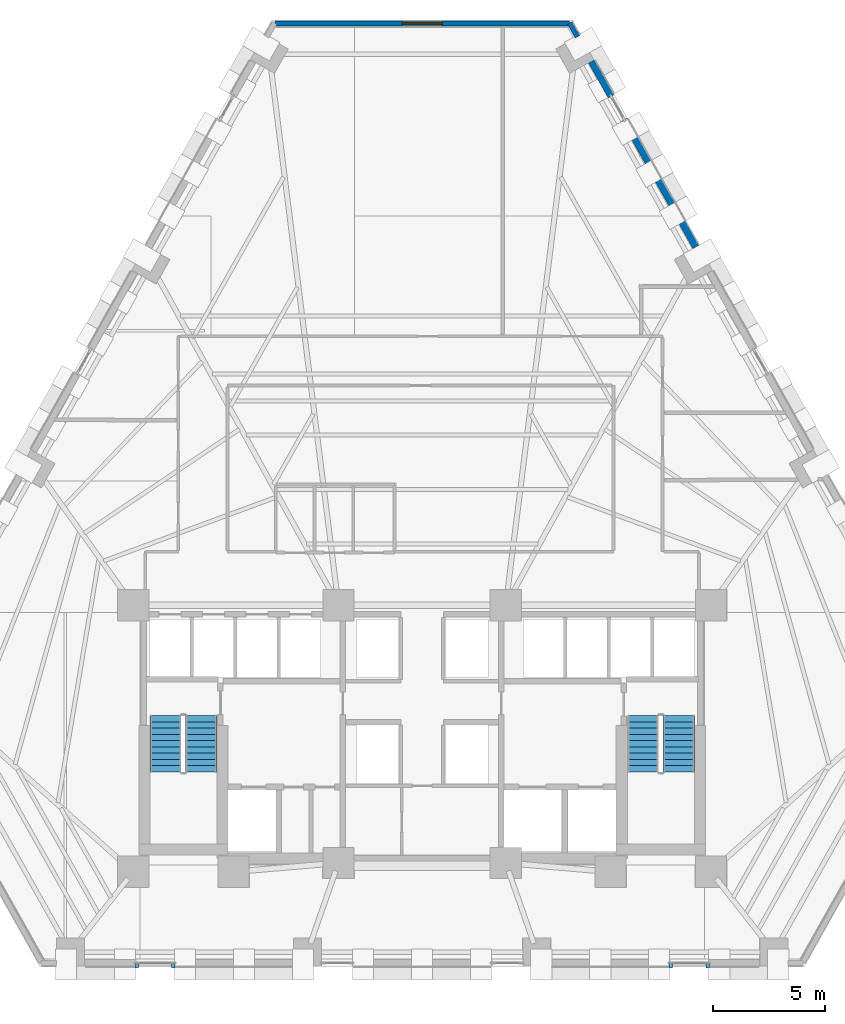
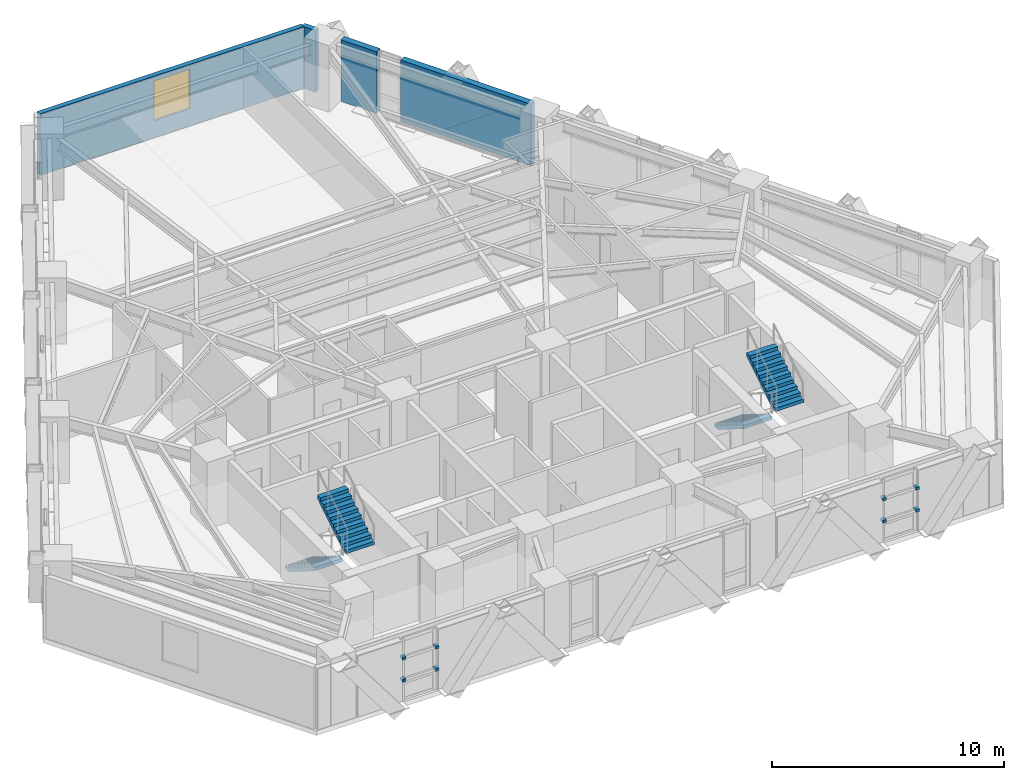
# One storey, part 9 of 13: 8 discrete accessories, 4 stair flights, 4 walls, 1 window, 1 opening, 2 elements without a shape of their own.
"""IFC4 building model written with IfcOpenShell, lengths in metres."""

from ifc_helpers import new_model, si_unit, direction, frame, frame_2d, origin, origin_2d, place, context, subcontext, project, spatial, polyline, rectangle, outline, extrude, material, layer, layer_set, type_object, element, fill, aggregate, save


model = new_model("IFC4")

# Units and contexts
model_context = context("Model", 3, precision=1e-05, world=origin(), true_north=direction((0.0, 1.0)))
body_context = subcontext(model_context, "Body", "Model", "MODEL_VIEW")
ifc_project = project(units=[si_unit("LENGTHUNIT", "METRE"), si_unit("AREAUNIT", "SQUARE_METRE"), si_unit("VOLUMEUNIT", "CUBIC_METRE"), si_unit("PLANEANGLEUNIT", "RADIAN"), si_unit("MASSUNIT", "GRAM", prefix="KILO")], contexts=[model_context])

# Site, building, storey
site_placement = place(None, origin())
site = spatial("IfcSite", under=ifc_project, at=site_placement, CompositionType="ELEMENT")
building_placement = place(site_placement, origin())
building = spatial("IfcBuilding", under=site, at=building_placement, Name="Quenlor Broadcast Tower", CompositionType="ELEMENT")
storey_placement = place(building_placement, frame((0.0, 0.0, 45.10009765625)))
storey = spatial("IfcBuildingStorey", under=building, at=storey_placement, Name="L11", CompositionType="ELEMENT", Elevation=45.10009765625)

# Wall
ifc_material_1 = material(Name="Precast concrete C40/50", Category="concrete")
ifc_layer_1 = layer(ifc_material_1, 0.239990234375)
ifc_layer_set_1 = layer_set([ifc_layer_1], Name="Terrace Threshold Precast Concrete C40/50 Wall 240")
wall_type_1 = type_object("IfcWallType", Name="Terrace Threshold Precast Concrete C40/50 Wall 240", PredefinedType="STANDARD", material=ifc_layer_set_1)
wall_1_placement = place(storey_placement, frame((6.621826171875, 21.30126953125, 0.0), z_axis=(0.0, 0.0, 1.0), x_axis=(0.490261239633, -0.871575537125, 0.0)))
element("IfcWall", 1, at=wall_1_placement, inside=storey, type_object=wall_type_1, Name="L11 Exterior Wall L11-SHD-NES0", PredefinedType="STANDARD", context=body_context, shape_type="SweptSolid", body=[
    extrude(rectangle(XDim=0.7080078125, YDim=0.239990234375, at=frame_2d((0.35400390625, 0.0))), origin(), (0.0, 0.0, 1.0), 3.25),
])

# Wall, opening, window
wall_2_placement = place(storey_placement, frame((6.598388671875, 21.27197265625, 0.0), z_axis=(0.0, 0.0, 1.0), x_axis=(-1.0, 0.0, 0.0)))
wall_2 = element("IfcWall", 2, at=wall_2_placement, inside=storey, type_object=wall_type_1, Name="L11 Exterior Wall L11-CNR-02", PredefinedType="STANDARD", context=body_context, shape_type="SweptSolid", body=[
    extrude(rectangle(XDim=13.186767578125, YDim=0.239990234375, at=frame_2d((6.59326171875, 0.0))), origin(), (0.0, 0.0, 1.0), 3.25),
])
opening_placement = place(wall_2_placement, frame((5.693115234375, 0.0, 0.89990234375)))
opening = element("IfcOpeningElement", 3, at=opening_placement, cuts=wall_2, Name="Opening WN-1", PredefinedType="OPENING", context=body_context, shape_type="SweptSolid", body=[
    extrude(rectangle(XDim=1.800048828125, YDim=2.10009765625, at=frame_2d((0.89990234375, 1.050048828125))), frame((0.0, 0.1298828125, 0.0), z_axis=(0.0, -1.0, 0.0), x_axis=(1.0, 0.0, 0.0)), (0.0, 0.0, 1.0), 0.260009765625),
])
ifc_material_2 = material(Name="Thermally Broken Aluminium and Low-E Glass", Category="aluminium")
window_type = type_object("IfcWindowType", Name="Tower Acoustic Vision Window 1800x2100", PartitioningType="SINGLE_PANEL", PredefinedType="WINDOW", material=ifc_material_2)
window_placement = place(opening_placement, origin())
window = element("IfcWindow", 4, at=window_placement, inside=storey, type_object=window_type, Name="L11 Corner Chamfer Window 2", OverallHeight=2.10009765625, OverallWidth=1.800048828125, PartitioningType="SINGLE_PANEL", PredefinedType="WINDOW", context=body_context, shape_type="SweptSolid", body=[
    extrude(rectangle(XDim=1.800048828125, YDim=2.10009765625, at=frame_2d((0.89990234375, 1.050048828125))), frame((0.0, 0.030029296875, 0.0), z_axis=(0.0, -1.0, 0.0), x_axis=(1.0, 0.0, 0.0)), (0.0, 0.0, 1.0), 0.06005859375),
])
fill(opening, window)

# Walls
ifc_material_3 = material(Name="Precast concrete C40/50", Category="concrete")
ifc_layer_2 = layer(ifc_material_3, 0.300048828125)
ifc_layer_set_2 = layer_set([ifc_layer_2], Name="Terracotta Precast Concrete C40/50 Spandrel Wall 300")
wall_type_2 = type_object("IfcWallType", Name="Terracotta Precast Concrete C40/50 Spandrel Wall 300", PredefinedType="STANDARD", material=ifc_layer_set_2)
wall_3_placement = place(storey_placement, frame((7.5966796875, 19.568603515625, 0.0), z_axis=(0.0, 0.0, 1.0), x_axis=(0.490215743191, -0.87160112731, 0.0)))
element("IfcWall", 5, at=wall_3_placement, inside=storey, type_object=wall_type_2, Name="L11 Exterior Wall L11-NEA-SP1", PredefinedType="STANDARD", context=body_context, shape_type="SweptSolid", body=[
    extrude(rectangle(XDim=1.783447265625, YDim=0.300048828125, at=frame_2d((0.8916015625, 0.0))), origin(), (0.0, 0.0, 1.0), 3.25),
])
wall_4_placement = place(storey_placement, frame((9.06298828125, 16.961669921875, 0.0), z_axis=(0.0, 0.0, 1.0), x_axis=(0.490270095534, -0.871570555621, 0.0)))
element("IfcWall", 6, at=wall_4_placement, inside=storey, type_object=wall_type_2, Name="L11 Exterior Wall L11-NEA-SP2", PredefinedType="STANDARD", context=body_context, shape_type="SweptSolid", body=[
    extrude(rectangle(XDim=6.54443359375, YDim=0.300048828125, at=frame_2d((3.272216796875, 0.0))), origin(), (0.0, 0.0, 1.0), 3.25),
])

# Stair, stair flights
ifc_material_4 = material(Name="Precast concrete C40/50", Category="concrete")
stair_type = type_object("IfcStairType", Name="Precast Concrete C40/50 Dogleg Stair H350", PredefinedType="HALF_TURN_STAIR", material=ifc_material_4)
stair_1_placement = place(storey_placement, origin())
stair_1 = element("IfcStair", 7, at=stair_1_placement, inside=storey, type_object=stair_type, Name="L11 West Core Fire-Isolated Exit Stair ST-1", PredefinedType="HALF_TURN_STAIR")
ifc_material_5 = material(Name="Precast concrete C40/50", Category="concrete")
ifc_layer_3 = layer(ifc_material_5, 0.159912109375)
ifc_layer_set_3 = layer_set([ifc_layer_3], Name="Precast Concrete C40/50 Stair Flight H350")
stair_flight_type = type_object("IfcStairFlightType", Name="Precast Concrete C40/50 Stair Flight H350", PredefinedType="STRAIGHT", material=ifc_layer_set_3)
stair_flight_1_placement = place(storey_placement, frame((-11.5, -9.75, 0.0), z_axis=(0.0, 0.0, 1.0), x_axis=(0.0, -1.0, 0.0)))
stair_flight_1 = element("IfcStairFlight", 8, at=stair_flight_1_placement, type_object=stair_flight_type, Name="ST-1 flight 1", NumberOfRisers=10, NumberOfTreads=9, PredefinedType="STRAIGHT", RiserHeight=0.175, TreadLength=0.28, context=body_context, shape_type="SweptSolid", body=[
    extrude(outline(polyline([(0.0, 0.0), (0.0, 0.175048828125), (0.280029296875, 0.175048828125), (0.280029296875, 0.35009765625), (0.56005859375, 0.35009765625), (0.56005859375, 0.52490234375), (0.840087890625, 0.52490234375), (0.840087890625, 0.699951171875), (1.1201171875, 0.699951171875), (1.1201171875, 0.875), (1.39990234375, 0.875), (1.39990234375, 1.050048828125), (1.679931640625, 1.050048828125), (1.679931640625, 1.22509765625), (1.9599609375, 1.22509765625), (1.9599609375, 1.39990234375), (2.239990234375, 1.39990234375), (2.239990234375, 1.574951171875), (2.52001953125, 1.574951171875), (2.52001953125, 1.75), (2.52001953125, 1.398193359375), (0.28271484375, 0.0), (0.0, 0.0)])), frame((0.0, 0.699951171875, 0.0), z_axis=(0.0, -1.0, 0.0), x_axis=(1.0, 0.0, 0.0)), (0.0, 0.0, 1.0), 1.39990234375),
])
stair_flight_2_placement = place(storey_placement, frame((-9.89990234375, -12.27001953125, 1.75), z_axis=(0.0, 0.0, 1.0), x_axis=(0.0, 1.0, 0.0)))
stair_flight_2 = element("IfcStairFlight", 9, at=stair_flight_2_placement, type_object=stair_flight_type, Name="ST-1 flight 2", NumberOfRisers=10, NumberOfTreads=9, PredefinedType="STRAIGHT", RiserHeight=0.175, TreadLength=0.28, context=body_context, shape_type="SweptSolid", body=[
    extrude(outline(polyline([(0.0, 0.0), (0.0, 0.175048828125), (0.280029296875, 0.175048828125), (0.280029296875, 0.35009765625), (0.56005859375, 0.35009765625), (0.56005859375, 0.52490234375), (0.840087890625, 0.52490234375), (0.840087890625, 0.699951171875), (1.1201171875, 0.699951171875), (1.1201171875, 0.875), (1.39990234375, 0.875), (1.39990234375, 1.050048828125), (1.679931640625, 1.050048828125), (1.679931640625, 1.22509765625), (1.9599609375, 1.22509765625), (1.9599609375, 1.39990234375), (2.239990234375, 1.39990234375), (2.239990234375, 1.574951171875), (2.52001953125, 1.574951171875), (2.52001953125, 1.75), (2.52001953125, 1.398193359375), (0.28271484375, 0.0), (0.0, 0.0)])), frame((0.0, 0.699951171875, 0.0), z_axis=(0.0, -1.0, 0.0), x_axis=(1.0, 0.0, 0.0)), (0.0, 0.0, 1.0), 1.39990234375),
])
aggregate(stair_1, [stair_flight_1, stair_flight_2])

stair_2_placement = place(storey_placement, origin())
stair_2 = element("IfcStair", 10, at=stair_2_placement, inside=storey, type_object=stair_type, Name="L11 East Core Fire-Isolated Exit Stair ST-2", PredefinedType="HALF_TURN_STAIR")
stair_flight_3_placement = place(storey_placement, frame((9.89990234375, -9.75, 0.0), z_axis=(0.0, 0.0, 1.0), x_axis=(0.0, -1.0, 0.0)))
stair_flight_3 = element("IfcStairFlight", 11, at=stair_flight_3_placement, type_object=stair_flight_type, Name="ST-2 flight 1", NumberOfRisers=10, NumberOfTreads=9, PredefinedType="STRAIGHT", RiserHeight=0.175, TreadLength=0.28, context=body_context, shape_type="SweptSolid", body=[
    extrude(outline(polyline([(0.0, 0.0), (0.0, 0.175048828125), (0.280029296875, 0.175048828125), (0.280029296875, 0.35009765625), (0.56005859375, 0.35009765625), (0.56005859375, 0.52490234375), (0.840087890625, 0.52490234375), (0.840087890625, 0.699951171875), (1.1201171875, 0.699951171875), (1.1201171875, 0.875), (1.39990234375, 0.875), (1.39990234375, 1.050048828125), (1.679931640625, 1.050048828125), (1.679931640625, 1.22509765625), (1.9599609375, 1.22509765625), (1.9599609375, 1.39990234375), (2.239990234375, 1.39990234375), (2.239990234375, 1.574951171875), (2.52001953125, 1.574951171875), (2.52001953125, 1.75), (2.52001953125, 1.398193359375), (0.28271484375, 0.0), (0.0, 0.0)])), frame((0.0, 0.699951171875, 0.0), z_axis=(0.0, -1.0, 0.0), x_axis=(1.0, 0.0, 0.0)), (0.0, 0.0, 1.0), 1.39990234375),
])
stair_flight_4_placement = place(storey_placement, frame((11.5, -12.27001953125, 1.75), z_axis=(0.0, 0.0, 1.0), x_axis=(0.0, 1.0, 0.0)))
stair_flight_4 = element("IfcStairFlight", 12, at=stair_flight_4_placement, type_object=stair_flight_type, Name="ST-2 flight 2", NumberOfRisers=10, NumberOfTreads=9, PredefinedType="STRAIGHT", RiserHeight=0.175, TreadLength=0.28, context=body_context, shape_type="SweptSolid", body=[
    extrude(outline(polyline([(0.0, 0.0), (0.0, 0.175048828125), (0.280029296875, 0.175048828125), (0.280029296875, 0.35009765625), (0.56005859375, 0.35009765625), (0.56005859375, 0.52490234375), (0.840087890625, 0.52490234375), (0.840087890625, 0.699951171875), (1.1201171875, 0.699951171875), (1.1201171875, 0.875), (1.39990234375, 0.875), (1.39990234375, 1.050048828125), (1.679931640625, 1.050048828125), (1.679931640625, 1.22509765625), (1.9599609375, 1.22509765625), (1.9599609375, 1.39990234375), (2.239990234375, 1.39990234375), (2.239990234375, 1.574951171875), (2.52001953125, 1.574951171875), (2.52001953125, 1.75), (2.52001953125, 1.398193359375), (0.28271484375, 0.0), (0.0, 0.0)])), frame((0.0, 0.699951171875, 0.0), z_axis=(0.0, -1.0, 0.0), x_axis=(1.0, 0.0, 0.0)), (0.0, 0.0, 1.0), 1.39990234375),
])
aggregate(stair_2, [stair_flight_3, stair_flight_4])

# Discrete accessories
ifc_material_6 = material(Name="Aluminium 6063-T6", Category="aluminium")
discrete_accessory_type = type_object("IfcDiscreteAccessoryType", Name="Stainless Mullion Baguette Support Bracket", PredefinedType="BRACKET", material=ifc_material_6)
for number, where, z_axis, x_axis, name in (
    (13, (12.794921875, -20.949951171875, 1.10009765625), (0.0, 0.0, 1.0), (-1.0, 0.0, 0.0), "L11 Baguette Mullion Bracket 1.1"),
    (14, (11.146484375, -20.949951171875, 1.10009765625), (0.0, 0.0, 1.0), (-1.0, 0.0, 0.0), "L11 Baguette Mullion Bracket 1.2"),
    (15, (12.794921875, -20.949951171875, 2.27001953125), (0.0, 0.0, 1.0), (-1.0, 0.0, 0.0), "L11 Baguette Mullion Bracket 2.1"),
    (16, (11.146484375, -20.949951171875, 2.27001953125), (0.0, 0.0, 1.0), (-1.0, 0.0, 0.0), "L11 Baguette Mullion Bracket 2.2"),
    (17, (-11.146484375, -20.949951171875, 1.10009765625), (0.0, 0.0, 1.0), (-1.0, 0.0, 0.0), "L11 Baguette Mullion Bracket 1.1"),
    (18, (-12.794921875, -20.949951171875, 1.10009765625), (0.0, 0.0, 1.0), (-1.0, 0.0, 0.0), "L11 Baguette Mullion Bracket 1.2"),
    (19, (-11.146484375, -20.949951171875, 2.27001953125), (0.0, 0.0, 1.0), (-1.0, 0.0, 0.0), "L11 Baguette Mullion Bracket 2.1"),
    (20, (-12.794921875, -20.949951171875, 2.27001953125), (0.0, 0.0, 1.0), (-1.0, 0.0, 0.0), "L11 Baguette Mullion Bracket 2.2"),
):
    element("IfcDiscreteAccessory", number, at=place(storey_placement, frame(where, z_axis=z_axis, x_axis=x_axis)), inside=storey, type_object=discrete_accessory_type, Name=name, PredefinedType="BRACKET", context=body_context, shape_type="SweptSolid", body=[
        extrude(rectangle(XDim=0.159912109375, YDim=0.239990234375, at=origin_2d()), origin(), (0.0, 0.0, 1.0), 0.139892578125),
    ])

save(model, "model.ifc")
